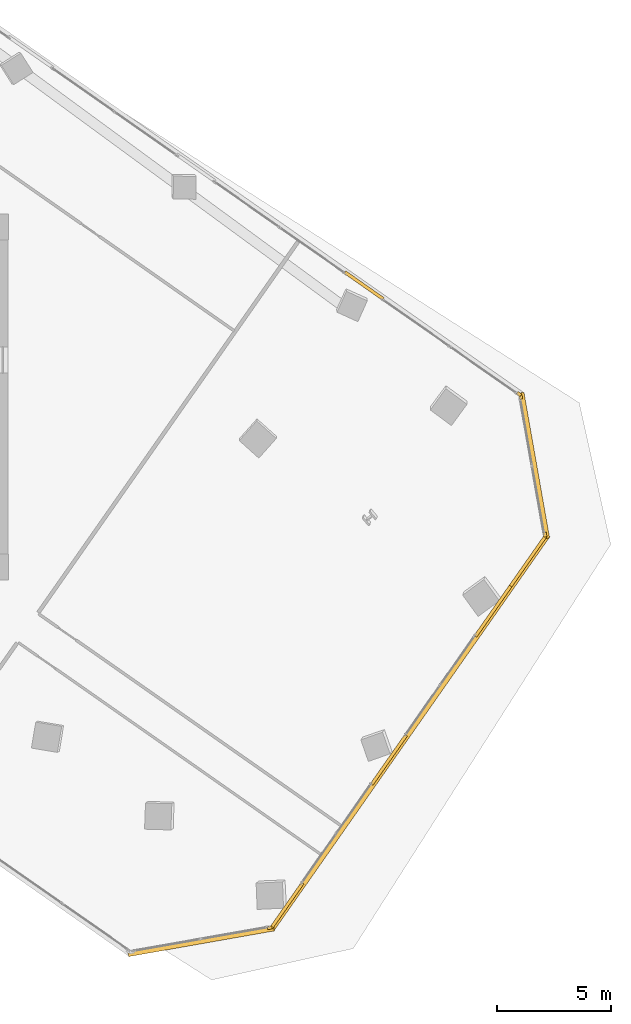
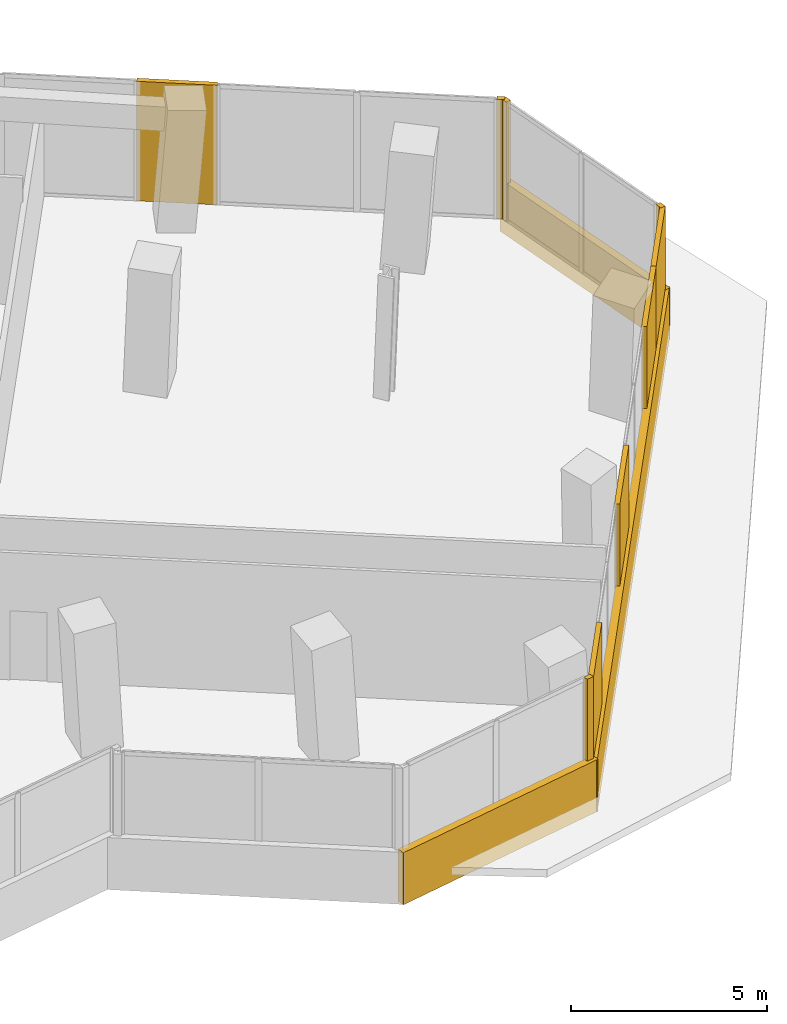
# One storey, part 21 of 22: 12 coverings.
"""IFC4 building model written with IfcOpenShell, lengths in metres."""

from ifc_helpers import new_model, si_unit, direction, frame, origin, origin_2d, place, context, subcontext, project, spatial, rectangle, extrude, source, transform, mapped, material, layer, layer_set, type_object, element, save


model = new_model("IFC4")

# Units and contexts
model_context = context("Model", 3, precision=1e-05, world=origin(), true_north=direction((0.0, 1.0)))
body_context = subcontext(model_context, "Body", "Model", "MODEL_VIEW")
ifc_project = project(units=[si_unit("LENGTHUNIT", "METRE"), si_unit("AREAUNIT", "SQUARE_METRE"), si_unit("VOLUMEUNIT", "CUBIC_METRE"), si_unit("PLANEANGLEUNIT", "RADIAN"), si_unit("MASSUNIT", "GRAM", prefix="KILO")], contexts=[model_context])

# Site, building, storey
site_placement = place(None, origin())
site = spatial("IfcSite", under=ifc_project, at=site_placement, CompositionType="ELEMENT")
building_placement = place(site_placement, origin())
building = spatial("IfcBuilding", under=site, at=building_placement, Name="Torre Montelarca", CompositionType="ELEMENT")
storey_placement = place(building_placement, frame((0.0, 0.0, 196.0)))
storey = spatial("IfcBuildingStorey", under=building, at=storey_placement, Name="L44", CompositionType="ELEMENT", Elevation=196.0)

# Coverings
ifc_material = material(Name="Bush-hammered warm white precast concrete C45/55", Category="concrete")
ifc_layer = layer(ifc_material, 0.139892578125, Name="Bush-hammered warm white precast concrete C45/55", Category="concrete")
ifc_layer_set = layer_set([ifc_layer], Name="Bush-hammered warm white precast concrete C45/55")
covering_type = type_object("IfcCoveringType", Name="COV-TRAY-CLAD", PredefinedType="CLADDING", material=ifc_layer_set)
shared_shape_1 = source(origin(), body_context, "Body", "SweptSolid", [
    extrude(rectangle(XDim=6.48388671875, YDim=0.219970703125, at=origin_2d()), origin(), (0.0, 0.0, 1.0), 1.6201171875),
])
for number, where, z_axis, x_axis, name in (
    (1, (35.4716796875, 8.142822265625, -0.449951171875), (0.0, 0.0, 1.0), (0.984807449937, 0.17364989648, 0.0), "L44 Architectural White Spandrel Tray Band TRYBOT-05"),
    (2, (50.073486328125, 28.99658203125, -0.449951171875), (0.0, 0.0, 1.0), (-0.17364989648, 0.984807449937, 0.0), "L44 Architectural White Spandrel Tray Band TRYBOT-07"),
):
    element("IfcCovering", number, at=place(storey_placement, frame(where, z_axis=z_axis, x_axis=x_axis)), inside=storey, type_object=covering_type, Name=name, PredefinedType="CLADDING", context=body_context, shape_type="MappedRepresentation", body=[
        mapped(shared_shape_1, transform((0.0, 0.0, 0.0), scale=1.0)),
    ])
shared_shape_2 = source(origin(), body_context, "Body", "SweptSolid", [
    extrude(rectangle(XDim=21.1201171875, YDim=0.219970703125, at=origin_2d()), origin(), (0.0, 0.0, 1.0), 1.6201171875),
])
covering_1_placement = place(storey_placement, frame((44.6083984375, 17.2841796875, -0.449951171875), z_axis=(0.0, 0.0, 1.0), x_axis=(0.573576436351, 0.819152044289, 0.0)))
element("IfcCovering", 3, at=covering_1_placement, inside=storey, type_object=covering_type, Name="L44 Architectural White Spandrel Tray Band TRYBOT-06", PredefinedType="CLADDING", context=body_context, shape_type="MappedRepresentation", body=[
    mapped(shared_shape_2, transform((0.0, 0.0, 0.0), scale=1.0)),
])
shared_shape_3 = source(origin(), body_context, "Body", "SweptSolid", [
    extrude(rectangle(XDim=0.199951171875, YDim=0.139892578125, at=origin_2d()), origin(), (0.0, 0.0, 1.0), 3.719970703125),
])
for number, where, z_axis, x_axis, name in (
    (4, (38.480712890625, 8.734375, 0.0), (0.0, 0.0, 1.0), (0.984808359153, 0.173644740038, 0.0), "L44 Architectural Column Pier Cladding E05-2"),
    (5, (50.546875, 25.966552734375, 0.0), (0.0, 0.0, 1.0), (-0.173644740038, 0.984808359153, 0.0), "L44 Architectural Column Pier Cladding E07-1"),
    (6, (49.48193359375, 32.005615234375, 0.0), (0.0, 0.0, 1.0), (-0.173644740038, 0.984808359153, 0.0), "L44 Architectural Column Pier Cladding E07-2"),
    (7, (49.404052734375, 32.128173828125, 0.0), (0.0, 0.0, 1.0), (-0.819154046443, 0.573573576968, 0.0), "L44 Architectural Column Pier Cladding E08-1"),
):
    element("IfcCovering", number, at=place(storey_placement, frame(where, z_axis=z_axis, x_axis=x_axis)), inside=storey, type_object=covering_type, Name=name, PredefinedType="CLADDING", context=body_context, shape_type="MappedRepresentation", body=[
        mapped(shared_shape_3, transform((0.0, 0.0, 0.0), scale=1.0)),
    ])
shared_shape_4 = source(origin(), body_context, "Body", "SweptSolid", [
    extrude(rectangle(XDim=2.67919921875, YDim=0.139892578125, at=origin_2d()), origin(), (0.0, 0.0, 1.0), 3.719970703125),
])
covering_2_placement = place(storey_placement, frame((49.804443359375, 24.8095703125, 0.0), z_axis=(0.0, 0.0, 1.0), x_axis=(0.573572147273, 0.819155047517, 0.0)))
element("IfcCovering", 8, at=covering_2_placement, inside=storey, type_object=covering_type, Name="L44 Architectural Column Pier Cladding E06-4", PredefinedType="CLADDING", context=body_context, shape_type="MappedRepresentation", body=[
    mapped(shared_shape_4, transform((0.0, 0.0, 0.0), scale=1.0)),
])
shared_shape_5 = source(origin(), body_context, "Body", "SweptSolid", [
    extrude(rectangle(XDim=2.06005859375, YDim=0.139892578125, at=origin_2d()), origin(), (0.0, 0.0, 1.0), 3.719970703125),
])
covering_3_placement = place(storey_placement, frame((42.617919921875, 36.879638671875, 0.0), z_axis=(0.0, 0.0, 1.0), x_axis=(-0.819154046443, 0.573573576968, 0.0)))
element("IfcCovering", 9, at=covering_3_placement, inside=storey, type_object=covering_type, Name="L44 Architectural Column Pier Cladding E08-2", PredefinedType="CLADDING", context=body_context, shape_type="MappedRepresentation", body=[
    mapped(shared_shape_5, transform((0.0, 0.0, 0.0), scale=1.0)),
])
shared_shape_6 = source(origin(), body_context, "Body", "SweptSolid", [
    extrude(rectangle(XDim=2.38916015625, YDim=0.139892578125, at=origin_2d()), origin(), (0.0, 0.0, 1.0), 3.719970703125),
])
covering_4_placement = place(storey_placement, frame((39.231201171875, 9.708984375, 0.0), z_axis=(0.0, 0.0, 1.0), x_axis=(0.573572147273, 0.819155047517, 0.0)))
element("IfcCovering", 10, at=covering_4_placement, inside=storey, type_object=covering_type, Name="L44 Architectural Column Pier Cladding E06-1", PredefinedType="CLADDING", context=body_context, shape_type="MappedRepresentation", body=[
    mapped(shared_shape_6, transform((0.0, 0.0, 0.0), scale=1.0)),
])
shared_shape_7 = source(origin(), body_context, "Body", "SweptSolid", [
    extrude(rectangle(XDim=2.637939453125, YDim=0.139892578125, at=origin_2d()), origin(), (0.0, 0.0, 1.0), 3.719970703125),
])
covering_5_placement = place(storey_placement, frame((43.705078125, 16.098876953125, 0.0), z_axis=(0.0, 0.0, 1.0), x_axis=(0.573572147273, 0.819155047517, 0.0)))
element("IfcCovering", 11, at=covering_5_placement, inside=storey, type_object=covering_type, Name="L44 Architectural Column Pier Cladding E06-2", PredefinedType="CLADDING", context=body_context, shape_type="MappedRepresentation", body=[
    mapped(shared_shape_7, transform((0.0, 0.0, 0.0), scale=1.0)),
])
shared_shape_8 = source(origin(), body_context, "Body", "SweptSolid", [
    extrude(rectangle(XDim=2.789794921875, YDim=0.139892578125, at=origin_2d()), origin(), (0.0, 0.0, 1.0), 3.719970703125),
])
covering_6_placement = place(storey_placement, frame((48.293212890625, 22.6513671875, 0.0), z_axis=(0.0, 0.0, 1.0), x_axis=(0.573572147273, 0.819155047517, 0.0)))
element("IfcCovering", 12, at=covering_6_placement, inside=storey, type_object=covering_type, Name="L44 Architectural Column Pier Cladding E06-3", PredefinedType="CLADDING", context=body_context, shape_type="MappedRepresentation", body=[
    mapped(shared_shape_8, transform((0.0, 0.0, 0.0), scale=1.0)),
])

save(model, "model.ifc")
